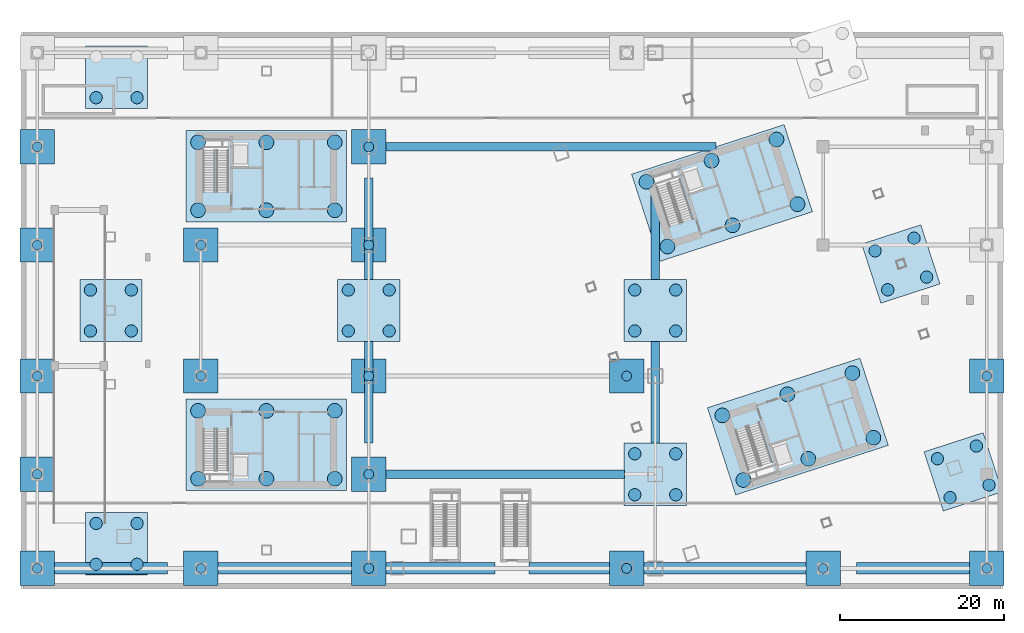
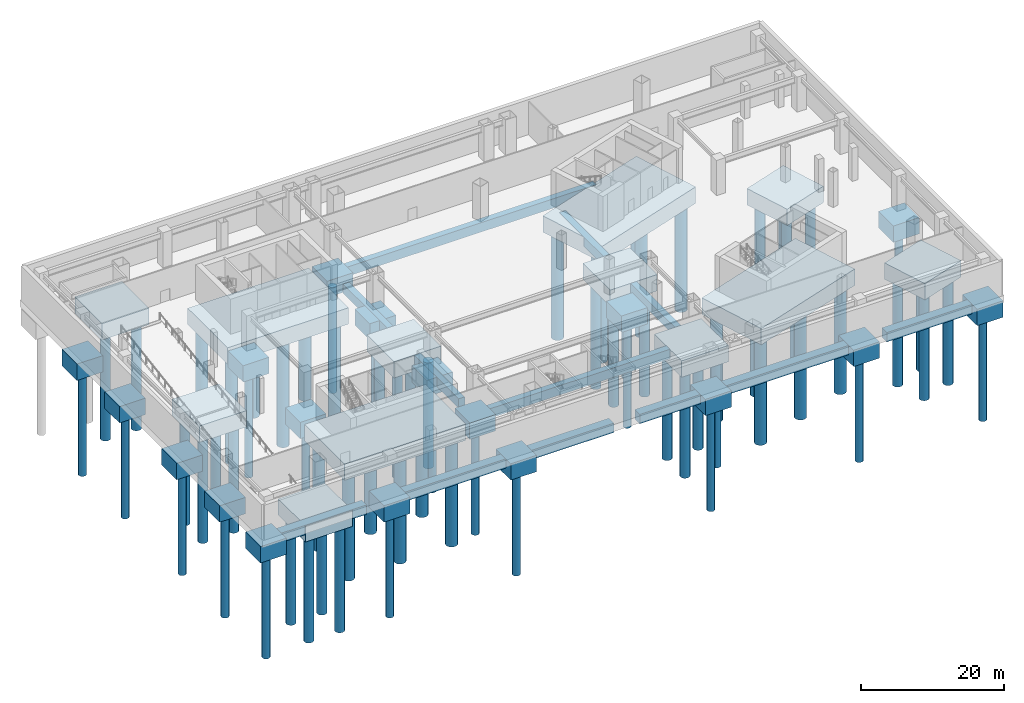
# One storey, part 1 of 20: 72 piles, 40 footings.
"""IFC4 building model written with IfcOpenShell, lengths in metres."""

from ifc_helpers import new_model, si_unit, direction, frame, origin, origin_2d, place, context, subcontext, project, spatial, polyline, circle, outline, extrude, material, material_profile, profile_set, type_object, element, save


model = new_model("IFC4")

# Units and contexts
model_context = context("Model", 3, precision=1e-05, world=origin(), true_north=direction((0.0, 1.0)))
body_context = subcontext(model_context, "Body", "Model", "MODEL_VIEW")
ifc_project = project(units=[si_unit("LENGTHUNIT", "METRE"), si_unit("AREAUNIT", "SQUARE_METRE"), si_unit("VOLUMEUNIT", "CUBIC_METRE"), si_unit("PLANEANGLEUNIT", "RADIAN"), si_unit("MASSUNIT", "GRAM", prefix="KILO")], contexts=[model_context])

# Site, building, storey
site_placement = place(None, origin())
site = spatial("IfcSite", under=ifc_project, at=site_placement, CompositionType="ELEMENT")
building_placement = place(site_placement, origin())
building = spatial("IfcBuilding", under=site, at=building_placement, Name="Qiaolan Cultural Towers", CompositionType="ELEMENT")
storey_placement = place(building_placement, frame((0.0, 0.0, -12.0)))
storey = spatial("IfcBuildingStorey", under=building, at=storey_placement, Name="B2", CompositionType="ELEMENT", Elevation=-12.0)

# Footings
ifc_material_1 = material(Name="Concrete C45", Category="concrete")
footing_type_1 = type_object("IfcFootingType", Name="FT-CORE-CAP", PredefinedType="PILE_CAP", material=ifc_material_1)
footing_1_placement = place(storey_placement, frame((0.0, 0.0, -4.0)))
element("IfcFooting", 1, at=footing_1_placement, inside=storey, type_object=footing_type_1, Name="T1-CS Combined Core Pile Cap", PredefinedType="PILE_CAP", context=body_context, shape_type="SweptSolid", body=[
    extrude(outline(polyline([(20.199951171875, 12.0), (39.800048828125, 12.0), (39.800048828125, 23.199951171875), (20.199951171875, 23.199951171875), (20.199951171875, 12.0)])), origin(), (0.0, 0.0, 1.0), 2.800048828125),
])
footing_2_placement = place(storey_placement, frame((0.0, 0.0, -4.0)))
element("IfcFooting", 2, at=footing_2_placement, inside=storey, type_object=footing_type_1, Name="T1-CN Combined Core Pile Cap", PredefinedType="PILE_CAP", context=body_context, shape_type="SweptSolid", body=[
    extrude(outline(polyline([(20.199951171875, 44.800048828125), (39.800048828125, 44.800048828125), (39.800048828125, 56.0), (20.199951171875, 56.0), (20.199951171875, 44.800048828125)])), origin(), (0.0, 0.0, 1.0), 2.800048828125),
])
footing_3_placement = place(storey_placement, frame((0.0, 0.0, -4.0)))
element("IfcFooting", 3, at=footing_3_placement, inside=storey, type_object=footing_type_1, Name="T2-CS Combined Core Pile Cap", PredefinedType="PILE_CAP", context=body_context, shape_type="SweptSolid", body=[
    extrude(outline(polyline([(87.330810546875, 11.47265625), (105.971435546875, 17.529296875), (102.510498046875, 28.18115234375), (83.86962890625, 22.12451171875), (87.330810546875, 11.47265625)])), origin(), (0.0, 0.0, 1.0), 2.800048828125),
])
footing_4_placement = place(storey_placement, frame((0.0, 0.0, -4.0)))
element("IfcFooting", 4, at=footing_4_placement, inside=storey, type_object=footing_type_1, Name="T2-CN Combined Core Pile Cap", PredefinedType="PILE_CAP", context=body_context, shape_type="SweptSolid", body=[
    extrude(outline(polyline([(78.060302734375, 40.004150390625), (96.700927734375, 46.06103515625), (93.239990234375, 56.712890625), (74.59912109375, 50.656005859375), (78.060302734375, 40.004150390625)])), origin(), (0.0, 0.0, 1.0), 2.800048828125),
])
ifc_material_2 = material(Name="Concrete C45", Category="concrete")
footing_type_2 = type_object("IfcFootingType", Name="FT-MEGA-CAP", PredefinedType="PILE_CAP", material=ifc_material_2)
footing_5_placement = place(storey_placement, frame((0.0, 0.0, -4.0)))
element("IfcFooting", 5, at=footing_5_placement, inside=storey, type_object=footing_type_2, Name="Mega-Column Pile Cap WT-SW", PredefinedType="PILE_CAP", context=body_context, shape_type="SweptSolid", body=[
    extrude(outline(polyline([(7.89990234375, 1.699951171875), (15.5, 1.699951171875), (15.5, 9.300048828125), (7.89990234375, 9.300048828125), (7.89990234375, 1.699951171875)])), origin(), (0.0, 0.0, 1.0), 2.800048828125),
])
footing_6_placement = place(storey_placement, frame((0.0, 0.0, -4.0)))
element("IfcFooting", 6, at=footing_6_placement, inside=storey, type_object=footing_type_2, Name="Mega-Column Pile Cap WT-NW", PredefinedType="PILE_CAP", context=body_context, shape_type="SweptSolid", body=[
    extrude(outline(polyline([(7.89990234375, 58.699951171875), (15.5, 58.699951171875), (15.5, 66.300048828125), (7.89990234375, 66.300048828125), (7.89990234375, 58.699951171875)])), origin(), (0.0, 0.0, 1.0), 2.800048828125),
])
footing_7_placement = place(storey_placement, frame((0.0, 0.0, -4.0)))
element("IfcFooting", 7, at=footing_7_placement, inside=storey, type_object=footing_type_2, Name="Mega-Column Pile Cap WT-MW", PredefinedType="PILE_CAP", context=body_context, shape_type="SweptSolid", body=[
    extrude(outline(polyline([(7.199951171875, 30.199951171875), (14.800048828125, 30.199951171875), (14.800048828125, 37.800048828125), (7.199951171875, 37.800048828125), (7.199951171875, 30.199951171875)])), origin(), (0.0, 0.0, 1.0), 2.800048828125),
])
footing_8_placement = place(storey_placement, frame((0.0, 0.0, -4.0)))
element("IfcFooting", 8, at=footing_8_placement, inside=storey, type_object=footing_type_2, Name="Mega-Column Pile Cap TR-W2", PredefinedType="PILE_CAP", context=body_context, shape_type="SweptSolid", body=[
    extrude(outline(polyline([(38.699951171875, 30.199951171875), (46.300048828125, 30.199951171875), (46.300048828125, 37.800048828125), (38.699951171875, 37.800048828125), (38.699951171875, 30.199951171875)])), origin(), (0.0, 0.0, 1.0), 2.800048828125),
])
footing_9_placement = place(storey_placement, frame((0.0, 0.0, -4.0)))
element("IfcFooting", 9, at=footing_9_placement, inside=storey, type_object=footing_type_2, Name="Mega-Column Pile Cap TR-E1", PredefinedType="PILE_CAP", context=body_context, shape_type="SweptSolid", body=[
    extrude(outline(polyline([(73.699951171875, 10.199951171875), (81.300048828125, 10.199951171875), (81.300048828125, 17.800048828125), (73.699951171875, 17.800048828125), (73.699951171875, 10.199951171875)])), origin(), (0.0, 0.0, 1.0), 2.800048828125),
])
footing_10_placement = place(storey_placement, frame((0.0, 0.0, -4.0)))
element("IfcFooting", 10, at=footing_10_placement, inside=storey, type_object=footing_type_2, Name="Mega-Column Pile Cap TR-E2", PredefinedType="PILE_CAP", context=body_context, shape_type="SweptSolid", body=[
    extrude(outline(polyline([(73.699951171875, 30.199951171875), (81.300048828125, 30.199951171875), (81.300048828125, 37.800048828125), (73.699951171875, 37.800048828125), (73.699951171875, 30.199951171875)])), origin(), (0.0, 0.0, 1.0), 2.800048828125),
])
footing_11_placement = place(storey_placement, frame((0.0, 0.0, -4.0)))
element("IfcFooting", 11, at=footing_11_placement, inside=storey, type_object=footing_type_2, Name="Mega-Column Pile Cap ET-SE", PredefinedType="PILE_CAP", context=body_context, shape_type="SweptSolid", body=[
    extrude(outline(polyline([(112.677978515625, 9.50927734375), (119.906005859375, 11.857666015625), (117.5576171875, 19.085693359375), (110.32958984375, 16.7373046875), (112.677978515625, 9.50927734375)])), origin(), (0.0, 0.0, 1.0), 2.800048828125),
])
footing_12_placement = place(storey_placement, frame((0.0, 0.0, -4.0)))
element("IfcFooting", 12, at=footing_12_placement, inside=storey, type_object=footing_type_2, Name="Mega-Column Pile Cap ET-ME", PredefinedType="PILE_CAP", context=body_context, shape_type="SweptSolid", body=[
    extrude(outline(polyline([(105.0595703125, 34.897705078125), (112.28759765625, 37.24609375), (109.939208984375, 44.47412109375), (102.711181640625, 42.125732421875), (105.0595703125, 34.897705078125)])), origin(), (0.0, 0.0, 1.0), 2.800048828125),
])
ifc_material_3 = material(Name="Concrete C45", Category="concrete")
footing_type_3 = type_object("IfcFootingType", Name="FT-POD-PAD", PredefinedType="PAD_FOOTING", material=ifc_material_3)
footing_13_placement = place(storey_placement, frame((0.0, 0.0, -4.0)))
element("IfcFooting", 13, at=footing_13_placement, inside=storey, type_object=footing_type_3, Name="Podium Perimeter Pad Footing PF-01", PredefinedType="PAD_FOOTING", context=body_context, shape_type="SweptSolid", body=[
    extrude(outline(polyline([(-0.10009765625, 0.39990234375), (4.10009765625, 0.39990234375), (4.10009765625, 4.60009765625), (-0.10009765625, 4.60009765625), (-0.10009765625, 0.39990234375)])), origin(), (0.0, 0.0, 1.0), 2.800048828125),
])
footing_14_placement = place(storey_placement, frame((0.0, 0.0, -4.0)))
element("IfcFooting", 14, at=footing_14_placement, inside=storey, type_object=footing_type_3, Name="Podium Perimeter Pad Footing PF-02", PredefinedType="PAD_FOOTING", context=body_context, shape_type="SweptSolid", body=[
    extrude(outline(polyline([(-0.10009765625, 11.89990234375), (4.10009765625, 11.89990234375), (4.10009765625, 16.10009765625), (-0.10009765625, 16.10009765625), (-0.10009765625, 11.89990234375)])), origin(), (0.0, 0.0, 1.0), 2.800048828125),
])
footing_15_placement = place(storey_placement, frame((0.0, 0.0, -4.0)))
element("IfcFooting", 15, at=footing_15_placement, inside=storey, type_object=footing_type_3, Name="Podium Perimeter Pad Footing PF-03", PredefinedType="PAD_FOOTING", context=body_context, shape_type="SweptSolid", body=[
    extrude(outline(polyline([(-0.10009765625, 23.89990234375), (4.10009765625, 23.89990234375), (4.10009765625, 28.10009765625), (-0.10009765625, 28.10009765625), (-0.10009765625, 23.89990234375)])), origin(), (0.0, 0.0, 1.0), 2.800048828125),
])
footing_16_placement = place(storey_placement, frame((0.0, 0.0, -4.0)))
element("IfcFooting", 16, at=footing_16_placement, inside=storey, type_object=footing_type_3, Name="Podium Perimeter Pad Footing PF-04", PredefinedType="PAD_FOOTING", context=body_context, shape_type="SweptSolid", body=[
    extrude(outline(polyline([(-0.10009765625, 39.89990234375), (4.10009765625, 39.89990234375), (4.10009765625, 44.10009765625), (-0.10009765625, 44.10009765625), (-0.10009765625, 39.89990234375)])), origin(), (0.0, 0.0, 1.0), 2.800048828125),
])
footing_17_placement = place(storey_placement, frame((0.0, 0.0, -4.0)))
element("IfcFooting", 17, at=footing_17_placement, inside=storey, type_object=footing_type_3, Name="Podium Perimeter Pad Footing PF-05", PredefinedType="PAD_FOOTING", context=body_context, shape_type="SweptSolid", body=[
    extrude(outline(polyline([(-0.10009765625, 51.89990234375), (4.10009765625, 51.89990234375), (4.10009765625, 56.10009765625), (-0.10009765625, 56.10009765625), (-0.10009765625, 51.89990234375)])), origin(), (0.0, 0.0, 1.0), 2.800048828125),
])
footing_18_placement = place(storey_placement, frame((0.0, 0.0, -4.0)))
element("IfcFooting", 18, at=footing_18_placement, inside=storey, type_object=footing_type_3, Name="Podium Perimeter Pad Footing PF-07", PredefinedType="PAD_FOOTING", context=body_context, shape_type="SweptSolid", body=[
    extrude(outline(polyline([(19.89990234375, 0.39990234375), (24.10009765625, 0.39990234375), (24.10009765625, 4.60009765625), (19.89990234375, 4.60009765625), (19.89990234375, 0.39990234375)])), origin(), (0.0, 0.0, 1.0), 2.800048828125),
])
footing_19_placement = place(storey_placement, frame((0.0, 0.0, -4.0)))
element("IfcFooting", 19, at=footing_19_placement, inside=storey, type_object=footing_type_3, Name="Podium Perimeter Pad Footing PF-08", PredefinedType="PAD_FOOTING", context=body_context, shape_type="SweptSolid", body=[
    extrude(outline(polyline([(19.89990234375, 23.89990234375), (24.10009765625, 23.89990234375), (24.10009765625, 28.10009765625), (19.89990234375, 28.10009765625), (19.89990234375, 23.89990234375)])), origin(), (0.0, 0.0, 1.0), 2.800048828125),
])
footing_20_placement = place(storey_placement, frame((0.0, 0.0, -4.0)))
element("IfcFooting", 20, at=footing_20_placement, inside=storey, type_object=footing_type_3, Name="Podium Perimeter Pad Footing PF-09", PredefinedType="PAD_FOOTING", context=body_context, shape_type="SweptSolid", body=[
    extrude(outline(polyline([(19.89990234375, 39.89990234375), (24.10009765625, 39.89990234375), (24.10009765625, 44.10009765625), (19.89990234375, 44.10009765625), (19.89990234375, 39.89990234375)])), origin(), (0.0, 0.0, 1.0), 2.800048828125),
])
footing_21_placement = place(storey_placement, frame((0.0, 0.0, -4.0)))
element("IfcFooting", 21, at=footing_21_placement, inside=storey, type_object=footing_type_3, Name="Podium Perimeter Pad Footing PF-11", PredefinedType="PAD_FOOTING", context=body_context, shape_type="SweptSolid", body=[
    extrude(outline(polyline([(40.39990234375, 0.39990234375), (44.60009765625, 0.39990234375), (44.60009765625, 4.60009765625), (40.39990234375, 4.60009765625), (40.39990234375, 0.39990234375)])), origin(), (0.0, 0.0, 1.0), 2.800048828125),
])
footing_22_placement = place(storey_placement, frame((0.0, 0.0, -4.0)))
element("IfcFooting", 22, at=footing_22_placement, inside=storey, type_object=footing_type_3, Name="Podium Perimeter Pad Footing PF-12", PredefinedType="PAD_FOOTING", context=body_context, shape_type="SweptSolid", body=[
    extrude(outline(polyline([(40.39990234375, 11.89990234375), (44.60009765625, 11.89990234375), (44.60009765625, 16.10009765625), (40.39990234375, 16.10009765625), (40.39990234375, 11.89990234375)])), origin(), (0.0, 0.0, 1.0), 2.800048828125),
])
footing_23_placement = place(storey_placement, frame((0.0, 0.0, -4.0)))
element("IfcFooting", 23, at=footing_23_placement, inside=storey, type_object=footing_type_3, Name="Podium Perimeter Pad Footing PF-13", PredefinedType="PAD_FOOTING", context=body_context, shape_type="SweptSolid", body=[
    extrude(outline(polyline([(40.39990234375, 23.89990234375), (44.60009765625, 23.89990234375), (44.60009765625, 28.10009765625), (40.39990234375, 28.10009765625), (40.39990234375, 23.89990234375)])), origin(), (0.0, 0.0, 1.0), 2.800048828125),
])
footing_24_placement = place(storey_placement, frame((0.0, 0.0, -4.0)))
element("IfcFooting", 24, at=footing_24_placement, inside=storey, type_object=footing_type_3, Name="Podium Perimeter Pad Footing PF-14", PredefinedType="PAD_FOOTING", context=body_context, shape_type="SweptSolid", body=[
    extrude(outline(polyline([(40.39990234375, 39.89990234375), (44.60009765625, 39.89990234375), (44.60009765625, 44.10009765625), (40.39990234375, 44.10009765625), (40.39990234375, 39.89990234375)])), origin(), (0.0, 0.0, 1.0), 2.800048828125),
])
footing_25_placement = place(storey_placement, frame((0.0, 0.0, -4.0)))
element("IfcFooting", 25, at=footing_25_placement, inside=storey, type_object=footing_type_3, Name="Podium Perimeter Pad Footing PF-15", PredefinedType="PAD_FOOTING", context=body_context, shape_type="SweptSolid", body=[
    extrude(outline(polyline([(40.39990234375, 51.89990234375), (44.60009765625, 51.89990234375), (44.60009765625, 56.10009765625), (40.39990234375, 56.10009765625), (40.39990234375, 51.89990234375)])), origin(), (0.0, 0.0, 1.0), 2.800048828125),
])
footing_26_placement = place(storey_placement, frame((0.0, 0.0, -4.0)))
element("IfcFooting", 26, at=footing_26_placement, inside=storey, type_object=footing_type_3, Name="Podium Perimeter Pad Footing PF-17", PredefinedType="PAD_FOOTING", context=body_context, shape_type="SweptSolid", body=[
    extrude(outline(polyline([(71.89990234375, 0.39990234375), (76.10009765625, 0.39990234375), (76.10009765625, 4.60009765625), (71.89990234375, 4.60009765625), (71.89990234375, 0.39990234375)])), origin(), (0.0, 0.0, 1.0), 2.800048828125),
])
footing_27_placement = place(storey_placement, frame((0.0, 0.0, -4.0)))
element("IfcFooting", 27, at=footing_27_placement, inside=storey, type_object=footing_type_3, Name="Podium Perimeter Pad Footing PF-18", PredefinedType="PAD_FOOTING", context=body_context, shape_type="SweptSolid", body=[
    extrude(outline(polyline([(71.89990234375, 23.89990234375), (76.10009765625, 23.89990234375), (76.10009765625, 28.10009765625), (71.89990234375, 28.10009765625), (71.89990234375, 23.89990234375)])), origin(), (0.0, 0.0, 1.0), 2.800048828125),
])
footing_28_placement = place(storey_placement, frame((0.0, 0.0, -4.0)))
element("IfcFooting", 28, at=footing_28_placement, inside=storey, type_object=footing_type_3, Name="Podium Perimeter Pad Footing PF-20", PredefinedType="PAD_FOOTING", context=body_context, shape_type="SweptSolid", body=[
    extrude(outline(polyline([(95.89990234375, 0.39990234375), (100.10009765625, 0.39990234375), (100.10009765625, 4.60009765625), (95.89990234375, 4.60009765625), (95.89990234375, 0.39990234375)])), origin(), (0.0, 0.0, 1.0), 2.800048828125),
])
footing_29_placement = place(storey_placement, frame((0.0, 0.0, -4.0)))
element("IfcFooting", 29, at=footing_29_placement, inside=storey, type_object=footing_type_3, Name="Podium Perimeter Pad Footing PF-21", PredefinedType="PAD_FOOTING", context=body_context, shape_type="SweptSolid", body=[
    extrude(outline(polyline([(115.89990234375, 0.39990234375), (120.10009765625, 0.39990234375), (120.10009765625, 4.60009765625), (115.89990234375, 4.60009765625), (115.89990234375, 0.39990234375)])), origin(), (0.0, 0.0, 1.0), 2.800048828125),
])
footing_30_placement = place(storey_placement, frame((0.0, 0.0, -4.0)))
element("IfcFooting", 30, at=footing_30_placement, inside=storey, type_object=footing_type_3, Name="Podium Perimeter Pad Footing PF-22", PredefinedType="PAD_FOOTING", context=body_context, shape_type="SweptSolid", body=[
    extrude(outline(polyline([(115.89990234375, 23.89990234375), (120.10009765625, 23.89990234375), (120.10009765625, 28.10009765625), (115.89990234375, 28.10009765625), (115.89990234375, 23.89990234375)])), origin(), (0.0, 0.0, 1.0), 2.800048828125),
])
ifc_material_4 = material(Name="Concrete C45", Category="concrete")
footing_type_4 = type_object("IfcFootingType", Name="FT-STRIP-WALL", PredefinedType="STRIP_FOOTING", material=ifc_material_4)
footing_31_placement = place(storey_placement, frame((0.0, 0.0, -2.800048828125)))
element("IfcFooting", 31, at=footing_31_placement, inside=storey, type_object=footing_type_4, Name="Perimeter Strip Footing FT-STR-S1", PredefinedType="STRIP_FOOTING", context=body_context, shape_type="SweptSolid", body=[
    extrude(outline(polyline([(4.10009765625, 1.800048828125), (17.89990234375, 1.800048828125), (17.89990234375, 3.199951171875), (4.10009765625, 3.199951171875), (4.10009765625, 1.800048828125)])), origin(), (0.0, 0.0, 1.0), 1.60009765625),
])
footing_32_placement = place(storey_placement, frame((0.0, 0.0, -2.800048828125)))
element("IfcFooting", 32, at=footing_32_placement, inside=storey, type_object=footing_type_4, Name="Perimeter Strip Footing FT-STR-S2", PredefinedType="STRIP_FOOTING", context=body_context, shape_type="SweptSolid", body=[
    extrude(outline(polyline([(22.10009765625, 1.800048828125), (57.89990234375, 1.800048828125), (57.89990234375, 3.199951171875), (22.10009765625, 3.199951171875), (22.10009765625, 1.800048828125)])), origin(), (0.0, 0.0, 1.0), 1.60009765625),
])
footing_33_placement = place(storey_placement, frame((0.0, 0.0, -2.800048828125)))
element("IfcFooting", 33, at=footing_33_placement, inside=storey, type_object=footing_type_4, Name="Perimeter Strip Footing FT-STR-S3", PredefinedType="STRIP_FOOTING", context=body_context, shape_type="SweptSolid", body=[
    extrude(outline(polyline([(62.10009765625, 1.800048828125), (97.89990234375, 1.800048828125), (97.89990234375, 3.199951171875), (62.10009765625, 3.199951171875), (62.10009765625, 1.800048828125)])), origin(), (0.0, 0.0, 1.0), 1.60009765625),
])
footing_34_placement = place(storey_placement, frame((0.0, 0.0, -2.800048828125)))
element("IfcFooting", 34, at=footing_34_placement, inside=storey, type_object=footing_type_4, Name="Perimeter Strip Footing FT-STR-S4", PredefinedType="STRIP_FOOTING", context=body_context, shape_type="SweptSolid", body=[
    extrude(outline(polyline([(102.10009765625, 1.800048828125), (115.89990234375, 1.800048828125), (115.89990234375, 3.199951171875), (102.10009765625, 3.199951171875), (102.10009765625, 1.800048828125)])), origin(), (0.0, 0.0, 1.0), 1.60009765625),
])
ifc_material_5 = material(Name="Concrete C45", Category="concrete")
footing_type_5 = type_object("IfcFootingType", Name="FT-TIE-BEAM", PredefinedType="FOOTING_BEAM", material=ifc_material_5)
footing_35_placement = place(storey_placement, frame((0.0, 0.0, -2.800048828125)))
element("IfcFooting", 35, at=footing_35_placement, inside=storey, type_object=footing_type_5, Name="Foundation Tie Beam FT-TIE-1", PredefinedType="FOOTING_BEAM", context=body_context, shape_type="SweptSolid", body=[
    extrude(outline(polyline([(42.0, 17.800048828125), (43.0, 17.800048828125), (43.0, 30.199951171875), (42.0, 30.199951171875), (42.0, 17.800048828125)])), origin(), (0.0, 0.0, 1.0), 1.60009765625),
])
footing_36_placement = place(storey_placement, frame((0.0, 0.0, -2.800048828125)))
element("IfcFooting", 36, at=footing_36_placement, inside=storey, type_object=footing_type_5, Name="Foundation Tie Beam FT-TIE-2", PredefinedType="FOOTING_BEAM", context=body_context, shape_type="SweptSolid", body=[
    extrude(outline(polyline([(42.0, 37.800048828125), (43.0, 37.800048828125), (43.0, 50.199951171875), (42.0, 50.199951171875), (42.0, 37.800048828125)])), origin(), (0.0, 0.0, 1.0), 1.60009765625),
])
footing_37_placement = place(storey_placement, frame((0.0, 0.0, -2.800048828125)))
element("IfcFooting", 37, at=footing_37_placement, inside=storey, type_object=footing_type_5, Name="Foundation Tie Beam FT-TIE-3", PredefinedType="FOOTING_BEAM", context=body_context, shape_type="SweptSolid", body=[
    extrude(outline(polyline([(77.0, 17.800048828125), (78.0, 17.800048828125), (78.0, 30.199951171875), (77.0, 30.199951171875), (77.0, 17.800048828125)])), origin(), (0.0, 0.0, 1.0), 1.60009765625),
])
footing_38_placement = place(storey_placement, frame((0.0, 0.0, -2.800048828125)))
element("IfcFooting", 38, at=footing_38_placement, inside=storey, type_object=footing_type_5, Name="Foundation Tie Beam FT-TIE-4", PredefinedType="FOOTING_BEAM", context=body_context, shape_type="SweptSolid", body=[
    extrude(outline(polyline([(77.0, 37.800048828125), (78.0, 37.800048828125), (78.0, 50.199951171875), (77.0, 50.199951171875), (77.0, 37.800048828125)])), origin(), (0.0, 0.0, 1.0), 1.60009765625),
])
footing_39_placement = place(storey_placement, frame((0.0, 0.0, -2.800048828125)))
element("IfcFooting", 39, at=footing_39_placement, inside=storey, type_object=footing_type_5, Name="Foundation Tie Beam FT-TIE-5", PredefinedType="FOOTING_BEAM", context=body_context, shape_type="SweptSolid", body=[
    extrude(outline(polyline([(44.580078125, 13.5), (73.719970703125, 13.5), (73.719970703125, 14.5), (44.580078125, 14.5), (44.580078125, 13.5)])), origin(), (0.0, 0.0, 1.0), 1.60009765625),
])
footing_40_placement = place(storey_placement, frame((0.0, 0.0, -2.800048828125)))
element("IfcFooting", 40, at=footing_40_placement, inside=storey, type_object=footing_type_5, Name="Foundation Tie Beam FT-TIE-6", PredefinedType="FOOTING_BEAM", context=body_context, shape_type="SweptSolid", body=[
    extrude(outline(polyline([(44.580078125, 53.5), (84.89990234375, 53.5), (84.89990234375, 54.5), (44.580078125, 54.5), (44.580078125, 53.5)])), origin(), (0.0, 0.0, 1.0), 1.60009765625),
])

# Piles
ifc_material_6 = material(Name="Concrete C45", Category="concrete")
ifc_material_profile_1 = material_profile(ifc_material_6, circle(Radius=0.60009765625, at=origin_2d()), Name="PILE-D1200")
ifc_profile_set_1 = profile_set([ifc_material_profile_1], Name="Concrete C45")
pile_type_1 = type_object("IfcPileType", Name="PL-PILE-D1200", PredefinedType="DRIVEN", material=ifc_profile_set_1)
for number, where, z_axis, x_axis, name in (
    (41, (2.0, 2.5, -3.89990234375), (0.0, 0.0, -1.0), (1.0, 0.0, 0.0), "Rock-Socketed Bored Pile P-061 (PILE-D1200)"),
    (42, (2.0, 14.0, -3.89990234375), (0.0, 0.0, -1.0), (1.0, 0.0, 0.0), "Rock-Socketed Bored Pile P-062 (PILE-D1200)"),
    (43, (2.0, 26.0, -3.89990234375), (0.0, 0.0, -1.0), (1.0, 0.0, 0.0), "Rock-Socketed Bored Pile P-063 (PILE-D1200)"),
    (44, (2.0, 42.0, -3.89990234375), (0.0, 0.0, -1.0), (1.0, 0.0, 0.0), "Rock-Socketed Bored Pile P-064 (PILE-D1200)"),
    (45, (2.0, 54.0, -3.89990234375), (0.0, 0.0, -1.0), (1.0, 0.0, 0.0), "Rock-Socketed Bored Pile P-065 (PILE-D1200)"),
    (46, (22.0, 2.5, -3.89990234375), (0.0, 0.0, -1.0), (1.0, 0.0, 0.0), "Rock-Socketed Bored Pile P-067 (PILE-D1200)"),
    (47, (22.0, 26.0, -3.89990234375), (0.0, 0.0, -1.0), (1.0, 0.0, 0.0), "Rock-Socketed Bored Pile P-068 (PILE-D1200)"),
    (48, (22.0, 42.0, -3.89990234375), (0.0, 0.0, -1.0), (1.0, 0.0, 0.0), "Rock-Socketed Bored Pile P-069 (PILE-D1200)"),
    (49, (42.5, 2.5, -3.89990234375), (0.0, 0.0, -1.0), (1.0, 0.0, 0.0), "Rock-Socketed Bored Pile P-071 (PILE-D1200)"),
    (50, (42.5, 14.0, -3.89990234375), (0.0, 0.0, -1.0), (1.0, 0.0, 0.0), "Rock-Socketed Bored Pile P-072 (PILE-D1200)"),
    (51, (42.5, 26.0, -3.89990234375), (0.0, 0.0, -1.0), (1.0, 0.0, 0.0), "Rock-Socketed Bored Pile P-073 (PILE-D1200)"),
    (52, (42.5, 42.0, -3.89990234375), (0.0, 0.0, -1.0), (1.0, 0.0, 0.0), "Rock-Socketed Bored Pile P-074 (PILE-D1200)"),
    (53, (42.5, 54.0, -3.89990234375), (0.0, 0.0, -1.0), (1.0, 0.0, 0.0), "Rock-Socketed Bored Pile P-075 (PILE-D1200)"),
    (54, (74.0, 2.5, -3.89990234375), (0.0, 0.0, -1.0), (1.0, 0.0, 0.0), "Rock-Socketed Bored Pile P-077 (PILE-D1200)"),
    (55, (74.0, 26.0, -3.89990234375), (0.0, 0.0, -1.0), (1.0, 0.0, 0.0), "Rock-Socketed Bored Pile P-078 (PILE-D1200)"),
    (56, (98.0, 2.5, -3.89990234375), (0.0, 0.0, -1.0), (1.0, 0.0, 0.0), "Rock-Socketed Bored Pile P-080 (PILE-D1200)"),
    (57, (118.0, 2.5, -3.89990234375), (0.0, 0.0, -1.0), (1.0, 0.0, 0.0), "Rock-Socketed Bored Pile P-081 (PILE-D1200)"),
    (58, (118.0, 26.0, -3.89990234375), (0.0, 0.0, -1.0), (1.0, 0.0, 0.0), "Rock-Socketed Bored Pile P-082 (PILE-D1200)"),
):
    element("IfcPile", number, at=place(storey_placement, frame(where, z_axis=z_axis, x_axis=x_axis)), inside=storey, type_object=pile_type_1, Name=name, PredefinedType="DRIVEN", context=body_context, shape_type="SweptSolid", body=[
        extrude(circle(Radius=0.60009765625, at=origin_2d()), origin(), (0.0, 0.0, 1.0), 18.10009765625),
    ])
ifc_material_7 = material(Name="Concrete C45", Category="concrete")
ifc_material_profile_2 = material_profile(ifc_material_7, circle(Radius=0.75, at=origin_2d()), Name="PILE-D1500")
ifc_profile_set_2 = profile_set([ifc_material_profile_2], Name="Concrete C45")
pile_type_2 = type_object("IfcPileType", Name="PL-PILE-D1500", PredefinedType="BORED", material=ifc_profile_set_2)
for number, where, z_axis, x_axis, name in (
    (59, (9.199951171875, 3.0, -3.89990234375), (0.0, 0.0, -1.0), (1.0, 0.0, 0.0), "Rock-Socketed Bored Pile P-025 (PILE-D1500)"),
    (60, (9.199951171875, 8.0, -3.89990234375), (0.0, 0.0, -1.0), (1.0, 0.0, 0.0), "Rock-Socketed Bored Pile P-026 (PILE-D1500)"),
    (61, (14.199951171875, 3.0, -3.89990234375), (0.0, 0.0, -1.0), (1.0, 0.0, 0.0), "Rock-Socketed Bored Pile P-027 (PILE-D1500)"),
    (62, (14.199951171875, 8.0, -3.89990234375), (0.0, 0.0, -1.0), (1.0, 0.0, 0.0), "Rock-Socketed Bored Pile P-028 (PILE-D1500)"),
    (63, (9.199951171875, 60.0, -3.89990234375), (0.0, 0.0, -1.0), (1.0, 0.0, 0.0), "Rock-Socketed Bored Pile P-029 (PILE-D1500)"),
    (64, (14.199951171875, 60.0, -3.89990234375), (0.0, 0.0, -1.0), (1.0, 0.0, 0.0), "Rock-Socketed Bored Pile P-031 (PILE-D1500)"),
    (65, (8.5, 31.5, -3.89990234375), (0.0, 0.0, -1.0), (1.0, 0.0, 0.0), "Rock-Socketed Bored Pile P-033 (PILE-D1500)"),
    (66, (8.5, 36.5, -3.89990234375), (0.0, 0.0, -1.0), (1.0, 0.0, 0.0), "Rock-Socketed Bored Pile P-034 (PILE-D1500)"),
    (67, (13.5, 31.5, -3.89990234375), (0.0, 0.0, -1.0), (1.0, 0.0, 0.0), "Rock-Socketed Bored Pile P-035 (PILE-D1500)"),
    (68, (13.5, 36.5, -3.89990234375), (0.0, 0.0, -1.0), (1.0, 0.0, 0.0), "Rock-Socketed Bored Pile P-036 (PILE-D1500)"),
    (69, (40.0, 31.5, -3.89990234375), (0.0, 0.0, -1.0), (1.0, 0.0, 0.0), "Rock-Socketed Bored Pile P-037 (PILE-D1500)"),
    (70, (40.0, 36.5, -3.89990234375), (0.0, 0.0, -1.0), (1.0, 0.0, 0.0), "Rock-Socketed Bored Pile P-038 (PILE-D1500)"),
    (71, (45.0, 31.5, -3.89990234375), (0.0, 0.0, -1.0), (1.0, 0.0, 0.0), "Rock-Socketed Bored Pile P-039 (PILE-D1500)"),
    (72, (45.0, 36.5, -3.89990234375), (0.0, 0.0, -1.0), (1.0, 0.0, 0.0), "Rock-Socketed Bored Pile P-040 (PILE-D1500)"),
    (73, (75.0, 11.5, -3.89990234375), (0.0, 0.0, -1.0), (1.0, 0.0, 0.0), "Rock-Socketed Bored Pile P-041 (PILE-D1500)"),
    (74, (75.0, 16.5, -3.89990234375), (0.0, 0.0, -1.0), (1.0, 0.0, 0.0), "Rock-Socketed Bored Pile P-042 (PILE-D1500)"),
    (75, (80.0, 11.5, -3.89990234375), (0.0, 0.0, -1.0), (1.0, 0.0, 0.0), "Rock-Socketed Bored Pile P-043 (PILE-D1500)"),
    (76, (80.0, 16.5, -3.89990234375), (0.0, 0.0, -1.0), (1.0, 0.0, 0.0), "Rock-Socketed Bored Pile P-044 (PILE-D1500)"),
    (77, (75.0, 31.5, -3.89990234375), (0.0, 0.0, -1.0), (1.0, 0.0, 0.0), "Rock-Socketed Bored Pile P-045 (PILE-D1500)"),
    (78, (75.0, 36.5, -3.89990234375), (0.0, 0.0, -1.0), (1.0, 0.0, 0.0), "Rock-Socketed Bored Pile P-046 (PILE-D1500)"),
    (79, (80.0, 31.5, -3.89990234375), (0.0, 0.0, -1.0), (1.0, 0.0, 0.0), "Rock-Socketed Bored Pile P-047 (PILE-D1500)"),
    (80, (80.0, 36.5, -3.89990234375), (0.0, 0.0, -1.0), (1.0, 0.0, 0.0), "Rock-Socketed Bored Pile P-048 (PILE-D1500)"),
    (81, (113.5126953125, 11.147216796875, -3.89990234375), (0.0, 0.0, -1.0), (1.0, 0.0, 0.0), "Rock-Socketed Bored Pile P-049 (PILE-D1500)"),
    (82, (111.967529296875, 15.902587890625, -3.89990234375), (0.0, 0.0, -1.0), (1.0, 0.0, 0.0), "Rock-Socketed Bored Pile P-050 (PILE-D1500)"),
    (83, (118.267822265625, 12.6923828125, -3.89990234375), (0.0, 0.0, -1.0), (1.0, 0.0, 0.0), "Rock-Socketed Bored Pile P-051 (PILE-D1500)"),
    (84, (116.722900390625, 17.44775390625, -3.89990234375), (0.0, 0.0, -1.0), (1.0, 0.0, 0.0), "Rock-Socketed Bored Pile P-052 (PILE-D1500)"),
    (85, (105.894287109375, 36.53564453125, -3.89990234375), (0.0, 0.0, -1.0), (1.0, 0.0, 0.0), "Rock-Socketed Bored Pile P-057 (PILE-D1500)"),
    (86, (104.349365234375, 41.291015625, -3.89990234375), (0.0, 0.0, -1.0), (1.0, 0.0, 0.0), "Rock-Socketed Bored Pile P-058 (PILE-D1500)"),
    (87, (110.649658203125, 38.080810546875, -3.89990234375), (0.0, 0.0, -1.0), (1.0, 0.0, 0.0), "Rock-Socketed Bored Pile P-059 (PILE-D1500)"),
    (88, (109.1044921875, 42.836181640625, -3.89990234375), (0.0, 0.0, -1.0), (1.0, 0.0, 0.0), "Rock-Socketed Bored Pile P-060 (PILE-D1500)"),
):
    element("IfcPile", number, at=place(storey_placement, frame(where, z_axis=z_axis, x_axis=x_axis)), inside=storey, type_object=pile_type_2, Name=name, PredefinedType="BORED", context=body_context, shape_type="SweptSolid", body=[
        extrude(circle(Radius=0.75, at=origin_2d()), origin(), (0.0, 0.0, 1.0), 18.10009765625),
    ])
ifc_material_8 = material(Name="Concrete C45", Category="concrete")
ifc_material_profile_3 = material_profile(ifc_material_8, circle(Radius=0.89990234375, at=origin_2d()), Name="PILE-D1800")
ifc_profile_set_3 = profile_set([ifc_material_profile_3], Name="Concrete C45")
pile_type_3 = type_object("IfcPileType", Name="PL-PILE-D1800", PredefinedType="BORED", material=ifc_profile_set_3)
for number, where, z_axis, x_axis, name in (
    (89, (21.64990234375, 13.449951171875, -3.89990234375), (0.0, 0.0, -1.0), (1.0, 0.0, 0.0), "Rock-Socketed Bored Pile P-001 (PILE-D1800)"),
    (90, (21.64990234375, 21.75, -3.89990234375), (0.0, 0.0, -1.0), (1.0, 0.0, 0.0), "Rock-Socketed Bored Pile P-002 (PILE-D1800)"),
    (91, (30.0, 13.449951171875, -3.89990234375), (0.0, 0.0, -1.0), (1.0, 0.0, 0.0), "Rock-Socketed Bored Pile P-003 (PILE-D1800)"),
    (92, (30.0, 21.75, -3.89990234375), (0.0, 0.0, -1.0), (1.0, 0.0, 0.0), "Rock-Socketed Bored Pile P-004 (PILE-D1800)"),
    (93, (38.35009765625, 13.449951171875, -3.89990234375), (0.0, 0.0, -1.0), (1.0, 0.0, 0.0), "Rock-Socketed Bored Pile P-005 (PILE-D1800)"),
    (94, (38.35009765625, 21.75, -3.89990234375), (0.0, 0.0, -1.0), (1.0, 0.0, 0.0), "Rock-Socketed Bored Pile P-006 (PILE-D1800)"),
    (95, (21.64990234375, 46.25, -3.89990234375), (0.0, 0.0, -1.0), (1.0, 0.0, 0.0), "Rock-Socketed Bored Pile P-007 (PILE-D1800)"),
    (96, (21.64990234375, 54.550048828125, -3.89990234375), (0.0, 0.0, -1.0), (1.0, 0.0, 0.0), "Rock-Socketed Bored Pile P-008 (PILE-D1800)"),
    (97, (30.0, 46.25, -3.89990234375), (0.0, 0.0, -1.0), (1.0, 0.0, 0.0), "Rock-Socketed Bored Pile P-009 (PILE-D1800)"),
    (98, (30.0, 54.550048828125, -3.89990234375), (0.0, 0.0, -1.0), (1.0, 0.0, 0.0), "Rock-Socketed Bored Pile P-010 (PILE-D1800)"),
    (99, (38.35009765625, 46.25, -3.89990234375), (0.0, 0.0, -1.0), (1.0, 0.0, 0.0), "Rock-Socketed Bored Pile P-011 (PILE-D1800)"),
    (100, (38.35009765625, 54.550048828125, -3.89990234375), (0.0, 0.0, -1.0), (1.0, 0.0, 0.0), "Rock-Socketed Bored Pile P-012 (PILE-D1800)"),
    (101, (88.26171875, 13.299560546875, -3.89990234375), (0.0, 0.0, -1.0), (1.0, 0.0, 0.0), "Rock-Socketed Bored Pile P-013 (PILE-D1800)"),
    (102, (85.69677734375, 21.193359375, -3.89990234375), (0.0, 0.0, -1.0), (1.0, 0.0, 0.0), "Rock-Socketed Bored Pile P-014 (PILE-D1800)"),
    (103, (96.202880859375, 15.8798828125, -3.89990234375), (0.0, 0.0, -1.0), (1.0, 0.0, 0.0), "Rock-Socketed Bored Pile P-015 (PILE-D1800)"),
    (104, (93.63818359375, 23.773681640625, -3.89990234375), (0.0, 0.0, -1.0), (1.0, 0.0, 0.0), "Rock-Socketed Bored Pile P-016 (PILE-D1800)"),
    (105, (104.144287109375, 18.460205078125, -3.89990234375), (0.0, 0.0, -1.0), (1.0, 0.0, 0.0), "Rock-Socketed Bored Pile P-017 (PILE-D1800)"),
    (106, (101.57958984375, 26.35400390625, -3.89990234375), (0.0, 0.0, -1.0), (1.0, 0.0, 0.0), "Rock-Socketed Bored Pile P-018 (PILE-D1800)"),
    (107, (78.9912109375, 41.831298828125, -3.89990234375), (0.0, 0.0, -1.0), (1.0, 0.0, 0.0), "Rock-Socketed Bored Pile P-019 (PILE-D1800)"),
    (108, (76.42626953125, 49.72509765625, -3.89990234375), (0.0, 0.0, -1.0), (1.0, 0.0, 0.0), "Rock-Socketed Bored Pile P-020 (PILE-D1800)"),
    (109, (86.932373046875, 44.41162109375, -3.89990234375), (0.0, 0.0, -1.0), (1.0, 0.0, 0.0), "Rock-Socketed Bored Pile P-021 (PILE-D1800)"),
    (110, (84.36767578125, 52.305419921875, -3.89990234375), (0.0, 0.0, -1.0), (1.0, 0.0, 0.0), "Rock-Socketed Bored Pile P-022 (PILE-D1800)"),
    (111, (94.873779296875, 46.991943359375, -3.89990234375), (0.0, 0.0, -1.0), (1.0, 0.0, 0.0), "Rock-Socketed Bored Pile P-023 (PILE-D1800)"),
    (112, (92.30908203125, 54.8857421875, -3.89990234375), (0.0, 0.0, -1.0), (1.0, 0.0, 0.0), "Rock-Socketed Bored Pile P-024 (PILE-D1800)"),
):
    element("IfcPile", number, at=place(storey_placement, frame(where, z_axis=z_axis, x_axis=x_axis)), inside=storey, type_object=pile_type_3, Name=name, PredefinedType="BORED", context=body_context, shape_type="SweptSolid", body=[
        extrude(circle(Radius=0.89990234375, at=origin_2d()), origin(), (0.0, 0.0, 1.0), 18.10009765625),
    ])

save(model, "model.ifc")
